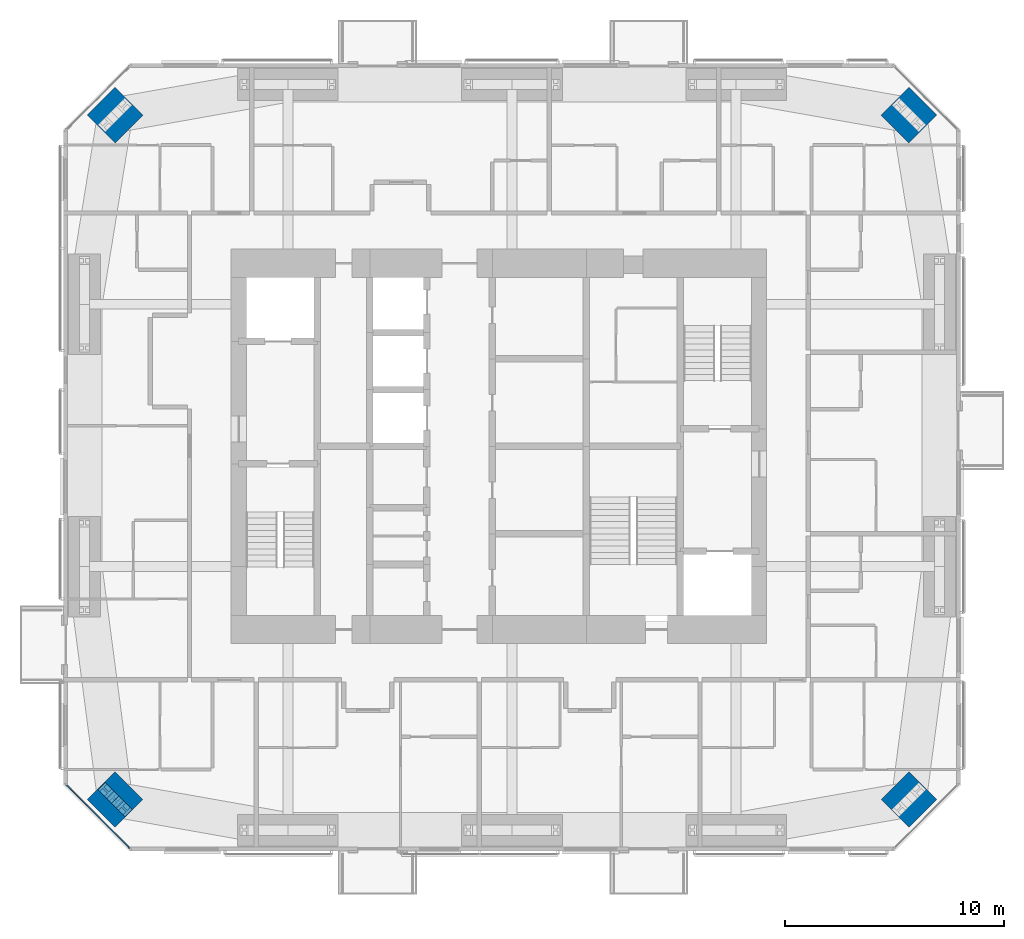
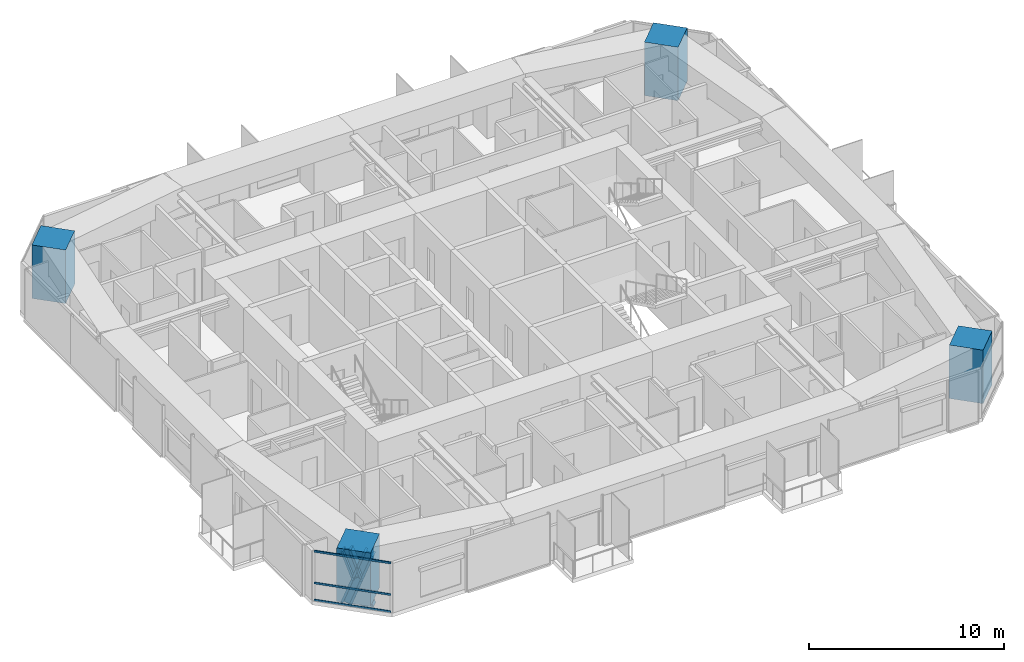
# One storey, part 1 of 22: 7 members, 4 columns, 1 element without a shape of its own.
"""IFC4 building model written with IfcOpenShell, lengths in metres."""

from ifc_helpers import new_model, si_unit, direction, frame, origin, origin_2d, place, context, subcontext, project, spatial, rectangle, i_section, extrude, material, material_profile, profile_set, type_object, element, aggregate, save


model = new_model("IFC4")

# Units and contexts
model_context = context("Model", 3, precision=1e-05, world=origin(), true_north=direction((0.0, 1.0)))
body_context = subcontext(model_context, "Body", "Model", "MODEL_VIEW")
ifc_project = project(units=[si_unit("LENGTHUNIT", "METRE"), si_unit("AREAUNIT", "SQUARE_METRE"), si_unit("VOLUMEUNIT", "CUBIC_METRE"), si_unit("PLANEANGLEUNIT", "RADIAN"), si_unit("MASSUNIT", "GRAM", prefix="KILO")], contexts=[model_context])

# Site, building, storey
site_placement = place(None, origin())
site = spatial("IfcSite", under=ifc_project, at=site_placement, CompositionType="ELEMENT")
building_placement = place(site_placement, origin())
building = spatial("IfcBuilding", under=site, at=building_placement, Name="Jalousie Tower", CompositionType="ELEMENT")
storey_placement = place(building_placement, frame((0.0, 0.0, 161.050048828125)))
storey = spatial("IfcBuildingStorey", under=building, at=storey_placement, Name="L43", CompositionType="ELEMENT", Elevation=161.050048828125)

# Columns
ifc_material_1 = material(Name="Concrete f'c 120 MPa", Category="concrete")
ifc_material_profile_1 = material_profile(ifc_material_1, rectangle(XDim=1.800048828125, YDim=1.800048828125, at=origin_2d()), Name="RC 1800x1800")
ifc_profile_set_1 = profile_set([ifc_material_profile_1], Name="Concrete f'c 120 MPa")
column_type = type_object("IfcColumnType", Name="RC COLUMN 1800x1800", PredefinedType="COLUMN", material=ifc_profile_set_1)
for number, where, z_axis, x_axis, name in (
    (1, (14.348388671875, 2.348388671875, 0.0), (0.0, 0.0, 1.0), (0.707106781187, 0.707106781187, 0.0), "Column 01 L43"),
    (2, (50.651611328125, 2.348388671875, 0.0), (0.0, 0.0, 1.0), (0.707106781187, 0.707106781187, 0.0), "Column 05 L43"),
    (3, (50.651611328125, 33.651611328125, 0.0), (0.0, 0.0, 1.0), (0.707106781187, 0.707106781187, 0.0), "Column 08 L43"),
    (4, (14.348388671875, 33.651611328125, 0.0), (0.0, 0.0, 1.0), (0.707106781187, 0.707106781187, 0.0), "Column 12 L43"),
):
    element("IfcColumn", number, at=place(storey_placement, frame(where, z_axis=z_axis, x_axis=x_axis)), inside=storey, type_object=column_type, Name=name, PredefinedType="COLUMN", context=body_context, shape_type="SweptSolid", body=[
        extrude(rectangle(XDim=1.800048828125, YDim=1.800048828125, at=origin_2d()), origin(), (0.0, 0.0, 1.0), 3.349853515625),
    ])

# Curtain wall, members
ifc_material_2 = material(Name="Aluminium curtain wall", Category="aluminium")
curtain_wall_type = type_object("IfcCurtainWallType", Name="CORNER WINDOW WALL", PredefinedType="USERDEFINED", material=ifc_material_2)
curtain_wall_placement = place(storey_placement, origin())
curtain_wall = element("IfcCurtainWall", 5, at=curtain_wall_placement, inside=storey, type_object=curtain_wall_type, Name="Corner Window Wall L43 8", ObjectType="CORNER WINDOW WALL", PredefinedType="USERDEFINED")
ifc_material_3 = material(Name="Aluminium transom", Category="aluminium")
ifc_material_profile_2 = material_profile(ifc_material_3, rectangle(XDim=0.06005859375, YDim=0.1201171875, at=origin_2d()), Name="TRANSOM 60x120")
ifc_profile_set_2 = profile_set([ifc_material_profile_2], Name="Aluminium transom")
member_type_1 = type_object("IfcMemberType", Name="CORNER WINDOW WALL TRANSOM", PredefinedType="USERDEFINED", material=ifc_profile_set_2)
member_1_placement = place(storey_placement, frame((12.1298828125, 3.0087890625, 0.030029296875), z_axis=(0.707106781187, -0.707106781187, 0.0), x_axis=(0.707106781187, 0.707106781187, 0.0)))
member_1 = element("IfcMember", 6, at=member_1_placement, type_object=member_type_1, Name="CW-C transom 1.1", ObjectType="TRANSOM", PredefinedType="USERDEFINED", context=body_context, shape_type="SweptSolid", body=[
    extrude(rectangle(XDim=0.06005859375, YDim=0.1201171875, at=origin_2d()), origin(), (0.0, 0.0, 1.0), 4.0712890625),
])
member_2_placement = place(storey_placement, frame((12.1298828125, 3.0087890625, 1.099853515625), z_axis=(0.707106781187, -0.707106781187, 0.0), x_axis=(0.707106781187, 0.707106781187, 0.0)))
member_2 = element("IfcMember", 7, at=member_2_placement, type_object=member_type_1, Name="CW-C transom 1.2", ObjectType="TRANSOM", PredefinedType="USERDEFINED", context=body_context, shape_type="SweptSolid", body=[
    extrude(rectangle(XDim=0.06005859375, YDim=0.1201171875, at=origin_2d()), origin(), (0.0, 0.0, 1.0), 4.0712890625),
])
member_3_placement = place(storey_placement, frame((12.1298828125, 3.0087890625, 3.079833984375), z_axis=(0.707106781187, -0.707106781187, 0.0), x_axis=(0.707106781187, 0.707106781187, 0.0)))
member_3 = element("IfcMember", 8, at=member_3_placement, type_object=member_type_1, Name="CW-C transom 1.3", ObjectType="TRANSOM", PredefinedType="USERDEFINED", context=body_context, shape_type="SweptSolid", body=[
    extrude(rectangle(XDim=0.06005859375, YDim=0.1201171875, at=origin_2d()), origin(), (0.0, 0.0, 1.0), 4.0712890625),
])
aggregate(curtain_wall, [member_1, member_2, member_3])

# Members
ifc_material_4 = material(Name="Steel ASTM A992 Grade 50", Category="steel")
ifc_material_profile_3 = material_profile(ifc_material_4, i_section(OverallWidth=0.472412109375, OverallDepth=0.5791015625, WebThickness=0.094970703125, FlangeThickness=0.1298828125, at=origin_2d()), Name="W14X808")
ifc_profile_set_3 = profile_set([ifc_material_profile_3], Name="Steel ASTM A992 Grade 50")
member_type_2 = type_object("IfcMemberType", Name="PERIMETER BRACE W14X808", PredefinedType="BRACE", material=ifc_profile_set_3)
for number, where, z_axis, x_axis, name in (
    (9, (13.92431640625, 2.772705078125, -0.60009765625), (0.238345540878, -0.238482757655, 0.941444303953), (0.707310235866, 0.706903267951, 0.0), "Perimeter brace 01 L43 part 1"),
    (10, (14.348388671875, 2.348388671875, 1.074951171875), (0.238482757655, -0.238345540878, 0.941444303953), (0.706903267951, 0.707310235866, 0.0), "Perimeter brace 01 L43 part 2"),
    (11, (14.772705078125, 1.92431640625, -0.60009765625), (-0.238482757655, 0.238345540878, 0.941444303953), (-0.706903267951, -0.707310235866, 0.0), "Perimeter brace 01 L43 part 3"),
    (12, (14.348388671875, 2.348388671875, 1.074951171875), (-0.238345540878, 0.238482757655, 0.941444303953), (-0.707310235866, -0.706903267951, 0.0), "Perimeter brace 01 L43 part 4"),
):
    element("IfcMember", number, at=place(storey_placement, frame(where, z_axis=z_axis, x_axis=x_axis)), inside=storey, type_object=member_type_2, Name=name, PredefinedType="BRACE", context=body_context, shape_type="SweptSolid", body=[
        extrude(i_section(OverallWidth=0.472412109375, OverallDepth=0.5791015625, WebThickness=0.094970703125, FlangeThickness=0.1298828125, at=origin_2d()), origin(), (0.0, 0.0, 1.0), 1.779296875),
    ])

save(model, "model.ifc")
